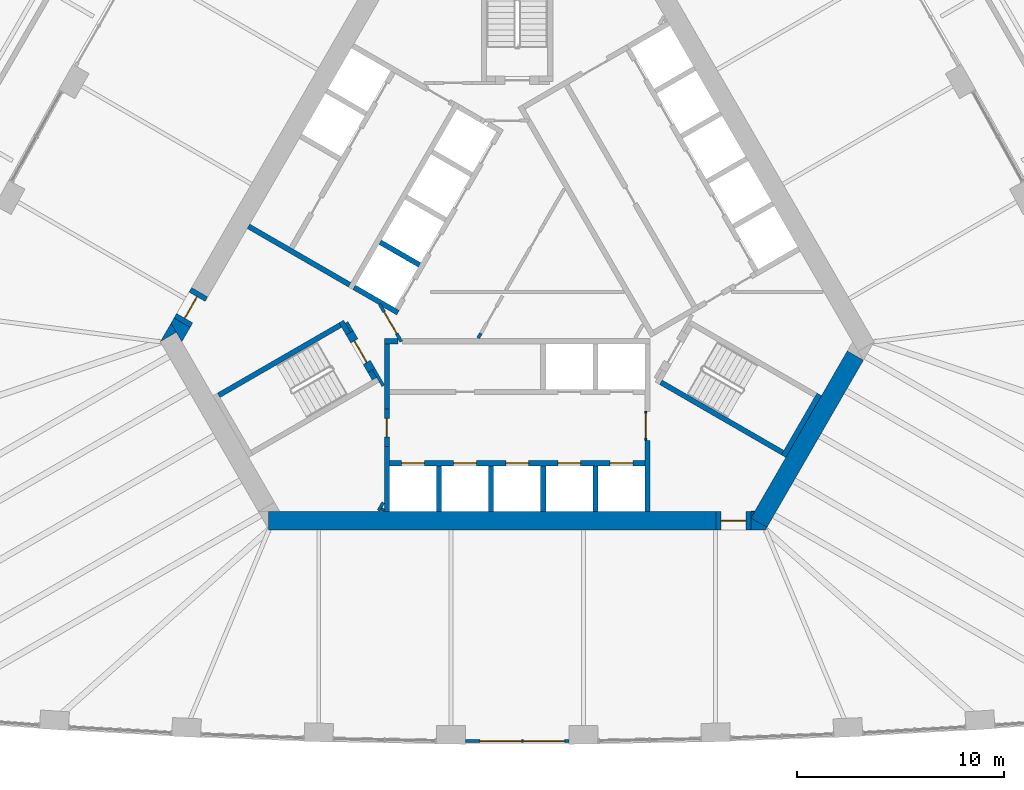
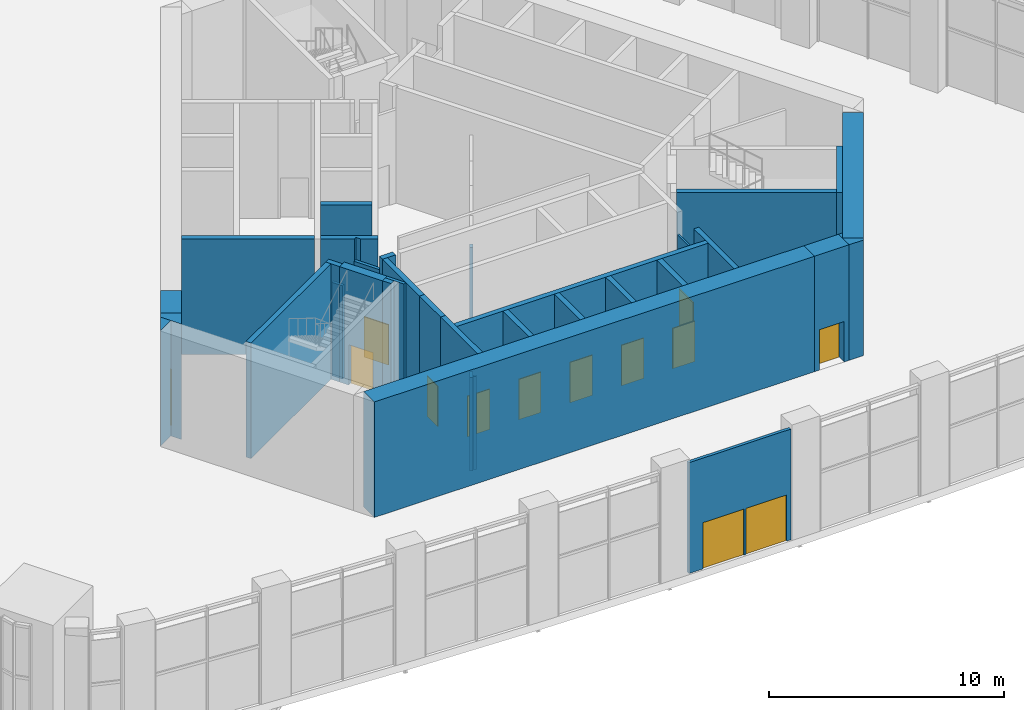
# One storey, part 25 of 41: 35 walls, 13 doors, 13 openings.
"""IFC4 building model written with IfcOpenShell, lengths in metres."""

from ifc_helpers import new_model, si_unit, direction, frame, frame_2d, origin, place, context, subcontext, project, spatial, polyline, rectangle, outline, extrude, material, layer, layer_set, type_object, element, fill, save


model = new_model("IFC4")

# Units and contexts
model_context = context("Model", 3, precision=1e-05, world=origin(), true_north=direction((0.0, 1.0)))
body_context = subcontext(model_context, "Body", "Model", "MODEL_VIEW")
ifc_project = project(units=[si_unit("LENGTHUNIT", "METRE"), si_unit("AREAUNIT", "SQUARE_METRE"), si_unit("VOLUMEUNIT", "CUBIC_METRE"), si_unit("PLANEANGLEUNIT", "RADIAN"), si_unit("MASSUNIT", "GRAM", prefix="KILO")], contexts=[model_context])

# Site, building, storey
site_placement = place(None, origin())
site = spatial("IfcSite", under=ifc_project, at=site_placement, CompositionType="ELEMENT")
building_placement = place(site_placement, origin())
building = spatial("IfcBuilding", under=site, at=building_placement, Name="Mestral Congress Tower", CompositionType="ELEMENT")
storey_placement = place(building_placement, frame((0.0, 0.0, 21.60009765625)))
storey = spatial("IfcBuildingStorey", under=building, at=storey_placement, Name="L04", CompositionType="ELEMENT", Elevation=21.60009765625)

# Walls
ifc_material_1 = material(Name="Fire-rated board partition")
ifc_layer_1 = layer(ifc_material_1, 0.14990234375)
ifc_layer_set_1 = layer_set([ifc_layer_1], Name="Fire-rated board partition")
wall_type_1 = type_object("IfcWallType", Name="Core partition 150", PredefinedType="PARTITIONING", material=ifc_layer_set_1)
wall_1_placement = place(storey_placement, frame((-6.707763671875, -12.068115234375, 0.0), z_axis=(0.0, 0.0, 1.0), x_axis=(0.500000789788, 0.8660249478, 0.0)))
element("IfcWall", 1, at=wall_1_placement, inside=storey, type_object=wall_type_1, Name="L04 core wall", PredefinedType="PARTITIONING", context=body_context, shape_type="SweptSolid", body=[
    extrude(rectangle(XDim=0.45556640625, YDim=0.14990234375, at=frame_2d((0.227783203125, 0.0))), origin(), (0.0, 0.0, 1.0), 4.849853515625),
])
wall_2_placement = place(storey_placement, frame((-6.534423828125, -12.068115234375, 0.0), z_axis=(0.0, 0.0, 1.0), x_axis=(0.500240224089, 0.865886665912, 0.0)))
element("IfcWall", 2, at=wall_2_placement, inside=storey, type_object=wall_type_1, Name="L04 core wall", PredefinedType="PARTITIONING", context=body_context, shape_type="SweptSolid", body=[
    extrude(rectangle(XDim=0.10888671875, YDim=0.14990234375, at=frame_2d((0.054443359375, 0.0))), origin(), (0.0, 0.0, 1.0), 4.849853515625),
])
wall_3_placement = place(storey_placement, frame((-1.886962890625, -3.71826171875, 0.0), z_axis=(0.0, 0.0, 1.0), x_axis=(0.500165633897, 0.865929753888, 0.0)))
element("IfcWall", 3, at=wall_3_placement, inside=storey, type_object=wall_type_1, Name="L04 core wall", PredefinedType="PARTITIONING", context=body_context, shape_type="SweptSolid", body=[
    extrude(rectangle(XDim=0.25439453125, YDim=0.14990234375, at=frame_2d((0.127197265625, 0.0))), origin(), (0.0, 0.0, 1.0), 4.849853515625),
])
wall_4_placement = place(storey_placement, frame((-8.251953125, -2.958251953125, 0.0), z_axis=(0.0, 0.0, 1.0), x_axis=(0.500174715838, -0.865924508047, 0.0)))
element("IfcWall", 4, at=wall_4_placement, inside=storey, type_object=wall_type_1, Name="L04 core wall", PredefinedType="PARTITIONING", context=body_context, shape_type="SweptSolid", body=[
    extrude(rectangle(XDim=0.513916015625, YDim=0.14990234375, at=frame_2d((0.2568359375, 0.0))), origin(), (0.0, 0.0, 1.0), 4.849853515625),
])

# Wall, opening, door
wall_5_placement = place(storey_placement, frame((-5.606201171875, -3.8896484375, 0.0), z_axis=(0.0, 0.0, 1.0), x_axis=(-0.500027713859, 0.866009402589, 0.0)))
wall_5 = element("IfcWall", 5, at=wall_5_placement, inside=storey, type_object=wall_type_1, Name="L04 door wall", PredefinedType="PARTITIONING", context=body_context, shape_type="SweptSolid", body=[
    extrude(rectangle(XDim=2.10009765625, YDim=0.14990234375, at=frame_2d((1.050048828125, 0.0))), origin(), (0.0, 0.0, 1.0), 4.849853515625),
])
opening_1_placement = place(wall_5_placement, frame((0.449951171875, 0.0, 0.0)))
opening_1 = element("IfcOpeningElement", 6, at=opening_1_placement, cuts=wall_5, Name="Opening CD3-FF", PredefinedType="OPENING", context=body_context, shape_type="SweptSolid", body=[
    extrude(rectangle(XDim=1.199951171875, YDim=2.10009765625, at=frame_2d((0.60009765625, 1.050048828125))), frame((0.0, 0.0849609375, 0.0), z_axis=(0.0, -1.0, 0.0), x_axis=(1.0, 0.0, 0.0)), (0.0, 0.0, 1.0), 0.169921875),
])
ifc_material_2 = material(Name="Fire-rated steel door set", Category="steel")
door_type_1 = type_object("IfcDoorType", Name="Core door CD 1200x2100", OperationType="SINGLE_SWING_LEFT", PredefinedType="DOOR", material=ifc_material_2)
door_1_placement = place(opening_1_placement, origin())
door_1 = element("IfcDoor", 7, at=door_1_placement, inside=storey, type_object=door_type_1, Name="Door CD3-FF", OperationType="SINGLE_SWING_LEFT", OverallHeight=2.10009765625, OverallWidth=1.199951171875, PredefinedType="DOOR", context=body_context, shape_type="SweptSolid", body=[
    extrude(rectangle(XDim=1.199951171875, YDim=2.10009765625, at=frame_2d((0.60009765625, 1.050048828125))), frame((0.0, 0.02490234375, 0.0), z_axis=(0.0, -1.0, 0.0), x_axis=(1.0, 0.0, 0.0)), (0.0, 0.0, 1.0), 0.050048828125),
])
fill(opening_1, door_1)

ifc_layer_2 = layer(ifc_material_1, 0.090087890625)
ifc_layer_set_2 = layer_set([ifc_layer_2], Name="Fire-rated board partition")
wall_type_2 = type_object("IfcWallType", Name="Core partition 150 door-wall 90", PredefinedType="PARTITIONING", material=ifc_layer_set_2)
wall_6_placement = place(storey_placement, frame((6.219970703125, -7.266357421875, 0.0), z_axis=(0.0, 0.0, 1.0), x_axis=(0.0, -1.0, 0.0)))
wall_6 = element("IfcWall", 8, at=wall_6_placement, inside=storey, type_object=wall_type_2, Name="L04 door wall", PredefinedType="PARTITIONING", context=body_context, shape_type="SweptSolid", body=[
    extrude(rectangle(XDim=1.400146484375, YDim=0.090087890625, at=frame_2d((0.7001953125, 0.0))), origin(), (0.0, 0.0, 1.0), 4.849853515625),
])
opening_2_placement = place(wall_6_placement, frame((0.10009765625, 0.0, 0.0)))
opening_2 = element("IfcOpeningElement", 9, at=opening_2_placement, cuts=wall_6, Name="Opening LB0-WL1", PredefinedType="OPENING", context=body_context, shape_type="SweptSolid", body=[
    extrude(rectangle(XDim=1.199951171875, YDim=2.10009765625, at=frame_2d((0.60009765625, 1.050048828125))), frame((0.0, 0.054931640625, 0.0), z_axis=(0.0, -1.0, 0.0), x_axis=(1.0, 0.0, 0.0)), (0.0, 0.0, 1.0), 0.110107421875),
])
door_type_2 = type_object("IfcDoorType", Name="Core door LB 1200x2100", OperationType="SINGLE_SWING_LEFT", PredefinedType="DOOR", material=ifc_material_2)
door_2_placement = place(opening_2_placement, origin())
door_2 = element("IfcDoor", 10, at=door_2_placement, inside=storey, type_object=door_type_2, Name="Door LB0-WL1", OperationType="SINGLE_SWING_LEFT", OverallHeight=2.10009765625, OverallWidth=1.199951171875, PredefinedType="DOOR", context=body_context, shape_type="SweptSolid", body=[
    extrude(rectangle(XDim=1.199951171875, YDim=2.10009765625, at=frame_2d((0.60009765625, 1.050048828125))), frame((0.0, 0.02490234375, 0.0), z_axis=(0.0, -1.0, 0.0), x_axis=(1.0, 0.0, 0.0)), (0.0, 0.0, 1.0), 0.050048828125),
])
fill(opening_2, door_2)

# Walls
ifc_material_3 = material(Name="Concrete C60/75", Category="concrete")
ifc_layer_3 = layer(ifc_material_3, 0.89990234375)
ifc_layer_set_3 = layer_set([ifc_layer_3], Name="Concrete C60/75")
wall_type_3 = type_object("IfcWallType", Name="Core wall RC 900", PredefinedType="SOLIDWALL", material=ifc_layer_set_3)
wall_7_placement = place(storey_placement, frame((11.69482421875, -12.643798828125, 0.0), z_axis=(0.0, 0.0, 1.0), x_axis=(0.500010229568, 0.86601949766, 0.0)))
element("IfcWall", 11, at=wall_7_placement, inside=storey, type_object=wall_type_3, Name="L04 core wall", PredefinedType="SOLIDWALL", context=body_context, shape_type="SweptSolid", body=[
    extrude(rectangle(XDim=9.326416015625, YDim=0.89990234375, at=frame_2d((4.6630859375, 0.0))), origin(), (0.0, 0.0, 1.0), 6.0),
])
placement = place(storey_placement, origin())
element("IfcWall", 12, at=placement, inside=storey, type_object=wall_type_3, Name="L04 core wall", PredefinedType="SOLIDWALL", context=body_context, shape_type="SweptSolid", body=[
    extrude(outline(polyline([(12.0087890625, -13.0), (11.31201171875, -13.0), (11.31201171875, -12.425048828125), (12.08349609375, -12.87060546875), (12.0087890625, -13.0)])), origin(), (0.0, 0.0, 1.0), 6.0),
])
element("IfcWall", 13, at=placement, inside=storey, type_object=wall_type_3, Name="L04 core wall", PredefinedType="SOLIDWALL", context=body_context, shape_type="SweptSolid", body=[
    extrude(outline(polyline([(11.4892578125, -12.10009765625), (11.31201171875, -12.4072265625), (11.31201171875, -12.10009765625), (11.4892578125, -12.10009765625)])), origin(), (0.0, 0.0, 1.0), 6.0),
])
wall_10_placement = place(storey_placement, frame((-12.0185546875, -12.550048828125, 0.0), z_axis=(0.0, 0.0, 1.0), x_axis=(1.0, 0.0, 0.0)))
element("IfcWall", 14, at=wall_10_placement, inside=storey, type_object=wall_type_3, Name="L04 core wall", PredefinedType="SOLIDWALL", context=body_context, shape_type="SweptSolid", body=[
    extrude(rectangle(XDim=21.63037109375, YDim=0.89990234375, at=frame_2d((10.815185546875, 0.0))), origin(), (0.0, 0.0, 1.0), 6.0),
])
element("IfcWall", 15, at=placement, inside=storey, type_object=wall_type_3, Name="L04 core wall", PredefinedType="SOLIDWALL", context=body_context, shape_type="SweptSolid", body=[
    extrude(outline(polyline([(-16.4892578125, -3.43994140625), (-17.251220703125, -3.8798828125), (-16.7431640625, -3.0), (-16.4892578125, -3.43994140625)])), origin(), (0.0, 0.0, 1.0), 6.0),
])
element("IfcWall", 16, at=placement, inside=storey, type_object=wall_type_3, Name="L04 core wall", PredefinedType="SOLIDWALL", context=body_context, shape_type="SweptSolid", body=[
    extrude(outline(polyline([(-15.81982421875, -3.20068359375), (-16.223388671875, -3.89990234375), (-16.7431640625, -3.0), (-16.599365234375, -2.750732421875), (-15.81982421875, -3.20068359375)])), origin(), (0.0, 0.0, 1.0), 6.0),
])

# Wall, opening, door
wall_13_placement = place(storey_placement, frame((11.311767578125, -12.550048828125, 0.0), z_axis=(0.0, 0.0, 1.0), x_axis=(-1.0, 0.0, 0.0)))
wall_13 = element("IfcWall", 17, at=wall_13_placement, inside=storey, type_object=wall_type_3, Name="L04 door wall", PredefinedType="SOLIDWALL", context=body_context, shape_type="SweptSolid", body=[
    extrude(rectangle(XDim=1.699951171875, YDim=0.89990234375, at=frame_2d((0.85009765625, 0.0))), origin(), (0.0, 0.0, 1.0), 6.0),
])
opening_3_placement = place(wall_13_placement, frame((0.25, 0.0, 0.0)))
opening_3 = element("IfcOpeningElement", 18, at=opening_3_placement, cuts=wall_13, Name="Opening XD1", PredefinedType="OPENING", context=body_context, shape_type="SweptSolid", body=[
    extrude(rectangle(XDim=1.199951171875, YDim=2.10009765625, at=frame_2d((0.60009765625, 1.050048828125))), frame((0.0, 0.4599609375, 0.0), z_axis=(0.0, -1.0, 0.0), x_axis=(1.0, 0.0, 0.0)), (0.0, 0.0, 1.0), 0.919921875),
])
door_type_3 = type_object("IfcDoorType", Name="Core door XD 1200x2100", OperationType="SINGLE_SWING_LEFT", PredefinedType="DOOR", material=ifc_material_2)
door_3_placement = place(opening_3_placement, origin())
door_3 = element("IfcDoor", 19, at=door_3_placement, inside=storey, type_object=door_type_3, Name="Door XD1", OperationType="SINGLE_SWING_LEFT", OverallHeight=2.10009765625, OverallWidth=1.199951171875, PredefinedType="DOOR", context=body_context, shape_type="SweptSolid", body=[
    extrude(rectangle(XDim=1.199951171875, YDim=2.10009765625, at=frame_2d((0.60009765625, 1.050048828125))), frame((0.0, 0.02490234375, 0.0), z_axis=(0.0, -1.0, 0.0), x_axis=(1.0, 0.0, 0.0)), (0.0, 0.0, 1.0), 0.050048828125),
])
fill(opening_3, door_3)

wall_14_placement = place(storey_placement, frame((-16.20947265625, -2.9755859375, 0.0), z_axis=(0.0, 0.0, 1.0), x_axis=(0.499954529098, 0.86605165483, 0.0)))
wall_14 = element("IfcWall", 20, at=wall_14_placement, inside=storey, type_object=wall_type_3, Name="L04 door wall", PredefinedType="SOLIDWALL", context=body_context, shape_type="SweptSolid", body=[
    extrude(rectangle(XDim=1.699951171875, YDim=0.89990234375, at=frame_2d((0.85009765625, 0.0))), origin(), (0.0, 0.0, 1.0), 6.0),
])
opening_4_placement = place(wall_14_placement, frame((0.25, 0.0, 0.0)))
opening_4 = element("IfcOpeningElement", 21, at=opening_4_placement, cuts=wall_14, Name="Opening XD3", PredefinedType="OPENING", context=body_context, shape_type="SweptSolid", body=[
    extrude(rectangle(XDim=1.199951171875, YDim=2.10009765625, at=frame_2d((0.60009765625, 1.050048828125))), frame((0.0, 0.4599609375, 0.0), z_axis=(0.0, -1.0, 0.0), x_axis=(1.0, 0.0, 0.0)), (0.0, 0.0, 1.0), 0.919921875),
])
door_4_placement = place(opening_4_placement, origin())
door_4 = element("IfcDoor", 22, at=door_4_placement, inside=storey, type_object=door_type_3, Name="Door XD3", OperationType="SINGLE_SWING_LEFT", OverallHeight=2.10009765625, OverallWidth=1.199951171875, PredefinedType="DOOR", context=body_context, shape_type="SweptSolid", body=[
    extrude(rectangle(XDim=1.199951171875, YDim=2.10009765625, at=frame_2d((0.60009765625, 1.050048828125))), frame((0.0, 0.02490234375, 0.0), z_axis=(0.0, -1.0, 0.0), x_axis=(1.0, 0.0, 0.0)), (0.0, 0.0, 1.0), 0.050048828125),
])
fill(opening_4, door_4)

# Wall, openings, doors
ifc_material_4 = material(Name="Aluminium-framed glazed screen", Category="aluminium")
ifc_layer_4 = layer(ifc_material_4, 0.14990234375)
ifc_layer_set_4 = layer_set([ifc_layer_4], Name="Aluminium-framed glazed screen")
wall_type_4 = type_object("IfcWallType", Name="Facade entrance screen 150", PredefinedType="SOLIDWALL", material=ifc_layer_set_4)
wall_15_placement = place(storey_placement, frame((2.4990234375, -23.213134765625, 0.0), z_axis=(0.0, 0.0, 1.0), x_axis=(-1.0, 0.0, 0.0)))
wall_15 = element("IfcWall", 23, at=wall_15_placement, inside=storey, type_object=wall_type_4, Name="Entrance screen face 1", PredefinedType="SOLIDWALL", context=body_context, shape_type="SweptSolid", body=[
    extrude(rectangle(XDim=4.998046875, YDim=0.14990234375, at=frame_2d((2.4990234375, 0.0))), origin(), (0.0, 0.0, 1.0), 5.75),
])
opening_5_placement = place(wall_15_placement, frame((0.199951171875, 0.0, 0.0)))
opening_5 = element("IfcOpeningElement", 24, at=opening_5_placement, cuts=wall_15, Name="Opening P04-501", PredefinedType="OPENING", context=body_context, shape_type="SweptSolid", body=[
    extrude(rectangle(XDim=2.0, YDim=2.39990234375, at=frame_2d((1.0, 1.199951171875))), frame((0.0, 0.0849609375, 0.0), z_axis=(0.0, -1.0, 0.0), x_axis=(1.0, 0.0, 0.0)), (0.0, 0.0, 1.0), 0.169921875),
])
opening_6_placement = place(wall_15_placement, frame((2.300048828125, 0.0, 0.0)))
opening_6 = element("IfcOpeningElement", 25, at=opening_6_placement, cuts=wall_15, Name="Opening P04-502", PredefinedType="OPENING", context=body_context, shape_type="SweptSolid", body=[
    extrude(rectangle(XDim=2.0, YDim=2.39990234375, at=frame_2d((1.0, 1.199951171875))), frame((0.0, 0.0849609375, 0.0), z_axis=(0.0, -1.0, 0.0), x_axis=(1.0, 0.0, 0.0)), (0.0, 0.0, 1.0), 0.169921875),
])
ifc_material_5 = material(Name="Steel and glass door set", Category="steel")
door_type_4 = type_object("IfcDoorType", Name="Podium entrance door 2000x2400", OperationType="DOUBLE_DOOR_SINGLE_SWING", PredefinedType="DOOR", material=ifc_material_5)
door_5_placement = place(opening_5_placement, origin())
door_5 = element("IfcDoor", 26, at=door_5_placement, inside=storey, type_object=door_type_4, Name="Door P04-501", OperationType="DOUBLE_DOOR_SINGLE_SWING", OverallHeight=2.39990234375, OverallWidth=2.0, PredefinedType="DOOR", context=body_context, shape_type="SweptSolid", body=[
    extrude(rectangle(XDim=2.0, YDim=2.39990234375, at=frame_2d((1.0, 1.199951171875))), frame((0.0, 0.02490234375, 0.0), z_axis=(0.0, -1.0, 0.0), x_axis=(1.0, 0.0, 0.0)), (0.0, 0.0, 1.0), 0.050048828125),
])
fill(opening_5, door_5)
door_6_placement = place(opening_6_placement, origin())
door_6 = element("IfcDoor", 27, at=door_6_placement, inside=storey, type_object=door_type_4, Name="Door P04-502", OperationType="DOUBLE_DOOR_SINGLE_SWING", OverallHeight=2.39990234375, OverallWidth=2.0, PredefinedType="DOOR", context=body_context, shape_type="SweptSolid", body=[
    extrude(rectangle(XDim=2.0, YDim=2.39990234375, at=frame_2d((1.0, 1.199951171875))), frame((0.0, 0.02490234375, 0.0), z_axis=(0.0, -1.0, 0.0), x_axis=(1.0, 0.0, 0.0)), (0.0, 0.0, 1.0), 0.050048828125),
])
fill(opening_6, door_6)

# Walls
ifc_layer_5 = layer(ifc_material_3, 0.25)
ifc_layer_set_5 = layer_set([ifc_layer_5], Name="Concrete C60/75")
wall_type_5 = type_object("IfcWallType", Name="Shaft wall RC 250", PredefinedType="SOLIDWALL", material=ifc_layer_set_5)
wall_16_placement = place(storey_placement, frame((-3.780029296875, -12.10009765625, 0.0), z_axis=(0.0, 0.0, 1.0), x_axis=(0.0, 1.0, 0.0)))
element("IfcWall", 28, at=wall_16_placement, inside=storey, type_object=wall_type_5, Name="L04 core wall", PredefinedType="SOLIDWALL", context=body_context, shape_type="SweptSolid", body=[
    extrude(rectangle(XDim=2.199951171875, YDim=0.25, at=frame_2d((1.10009765625, 0.0))), origin(), (0.0, 0.0, 1.0), 6.0),
])
wall_17_placement = place(storey_placement, frame((-6.300048828125, -12.10009765625, 0.0), z_axis=(0.0, 0.0, 1.0), x_axis=(0.0, 1.0, 0.0)))
element("IfcWall", 29, at=wall_17_placement, inside=storey, type_object=wall_type_5, Name="L04 core wall", PredefinedType="SOLIDWALL", context=body_context, shape_type="SweptSolid", body=[
    extrude(rectangle(XDim=3.1455078125, YDim=0.25, at=frame_2d((1.57275390625, 0.0))), origin(), (0.0, 0.0, 1.0), 6.0),
])
wall_18_placement = place(storey_placement, frame((-6.425048828125, -3.875, 0.0), z_axis=(0.0, 0.0, 1.0), x_axis=(1.0, 0.0, 0.0)))
element("IfcWall", 30, at=wall_18_placement, inside=storey, type_object=wall_type_5, Name="L04 core wall", PredefinedType="SOLIDWALL", context=body_context, shape_type="SweptSolid", body=[
    extrude(rectangle(XDim=0.657958984375, YDim=0.25, at=frame_2d((0.3291015625, 0.0))), origin(), (0.0, 0.0, 1.0), 6.0),
])
wall_19_placement = place(storey_placement, frame((6.300048828125, -8.669921875, 0.0), z_axis=(0.0, 0.0, 1.0), x_axis=(0.0, -1.0, 0.0)))
element("IfcWall", 31, at=wall_19_placement, inside=storey, type_object=wall_type_5, Name="L04 core wall", PredefinedType="SOLIDWALL", context=body_context, shape_type="SweptSolid", body=[
    extrude(rectangle(XDim=3.43017578125, YDim=0.25, at=frame_2d((1.715087890625, 0.0))), origin(), (0.0, 0.0, 1.0), 6.0),
])
wall_20_placement = place(storey_placement, frame((-6.300048828125, -4.0, 0.0), z_axis=(0.0, 0.0, 1.0), x_axis=(0.0, -1.0, 0.0)))
element("IfcWall", 32, at=wall_20_placement, inside=storey, type_object=wall_type_5, Name="L04 core wall", PredefinedType="SOLIDWALL", context=body_context, shape_type="SweptSolid", body=[
    extrude(rectangle(XDim=3.154296875, YDim=0.25, at=frame_2d((1.5771484375, 0.0))), origin(), (0.0, 0.0, 1.0), 6.0),
])
for number, where, z_axis, x_axis, name in (
    (33, (3.780029296875, -12.10009765625, 0.0), (0.0, 0.0, 1.0), (0.0, 1.0, 0.0), "L04 core wall"),
    (34, (1.260009765625, -12.10009765625, 0.0), (0.0, 0.0, 1.0), (0.0, 1.0, 0.0), "L04 core wall"),
    (35, (-1.260009765625, -12.10009765625, 0.0), (0.0, 0.0, 1.0), (0.0, 1.0, 0.0), "L04 core wall"),
    (36, (-4.72412109375, -0.182373046875, 0.0), (0.0, 0.0, 1.0), (-0.866008176907, 0.50002983664, 0.0), "L04 core wall"),
):
    element("IfcWall", number, at=place(storey_placement, frame(where, z_axis=z_axis, x_axis=x_axis)), inside=storey, type_object=wall_type_5, Name=name, PredefinedType="SOLIDWALL", context=body_context, shape_type="SweptSolid", body=[
        extrude(rectangle(XDim=2.199951171875, YDim=0.25, at=frame_2d((1.10009765625, 0.0))), origin(), (0.0, 0.0, 1.0), 6.0),
    ])
element("IfcWall", 37, at=placement, inside=storey, type_object=wall_type_5, Name="L04 core wall", PredefinedType="SOLIDWALL", context=body_context, shape_type="SweptSolid", body=[
    extrude(outline(polyline([(-5.921630859375, -2.256591796875), (-5.921630859375, -2.256591796875), (-5.705078125, -2.381591796875), (-5.830078125, -2.597900390625), (-6.48291015625, -2.22119140625), (-6.59130859375, -2.033447265625), (-6.59130859375, -2.033447265625), (-6.69970703125, -2.095947265625), (-7.951904296875, -1.373046875), (-7.826904296875, -1.156494140625), (-5.921630859375, -2.256591796875)])), origin(), (0.0, 0.0, 1.0), 6.0),
])
wall_22_placement = place(storey_placement, frame((-8.10595703125, -1.139892578125, 0.0), z_axis=(0.0, 0.0, 1.0), x_axis=(-0.866000643155, 0.500042884217, 0.0)))
element("IfcWall", 38, at=wall_22_placement, inside=storey, type_object=wall_type_5, Name="L04 core wall", PredefinedType="SOLIDWALL", context=body_context, shape_type="SweptSolid", body=[
    extrude(rectangle(XDim=5.64990234375, YDim=0.25, at=frame_2d((2.824951171875, 0.0))), origin(), (0.0, 0.0, 1.0), 6.0),
])

# Wall, openings, doors
wall_23_placement = place(storey_placement, frame((-6.175048828125, -9.77490234375, 0.0), z_axis=(0.0, 0.0, 1.0), x_axis=(1.0, 0.0, 0.0)))
wall_23 = element("IfcWall", 39, at=wall_23_placement, inside=storey, type_object=wall_type_5, Name="L04 door wall", PredefinedType="SOLIDWALL", context=body_context, shape_type="SweptSolid", body=[
    extrude(rectangle(XDim=12.35009765625, YDim=0.25, at=frame_2d((6.175048828125, 0.0))), origin(), (0.0, 0.0, 1.0), 6.0),
])
opening_7_placement = place(wall_23_placement, frame((0.5849609375, 0.0, 0.0)))
opening_7 = element("IfcOpeningElement", 40, at=opening_7_placement, cuts=wall_23, Name="Opening LD-SOA1", PredefinedType="OPENING", context=body_context, shape_type="SweptSolid", body=[
    extrude(rectangle(XDim=1.10009765625, YDim=2.10009765625, at=frame_2d((0.550048828125, 1.050048828125))), frame((0.0, 0.135009765625, 0.0), z_axis=(0.0, -1.0, 0.0), x_axis=(1.0, 0.0, 0.0)), (0.0, 0.0, 1.0), 0.27001953125),
])
opening_8_placement = place(wall_23_placement, frame((3.10498046875, 0.0, 0.0)))
opening_8 = element("IfcOpeningElement", 41, at=opening_8_placement, cuts=wall_23, Name="Opening LD-SOA2", PredefinedType="OPENING", context=body_context, shape_type="SweptSolid", body=[
    extrude(rectangle(XDim=1.10009765625, YDim=2.10009765625, at=frame_2d((0.550048828125, 1.050048828125))), frame((0.0, 0.135009765625, 0.0), z_axis=(0.0, -1.0, 0.0), x_axis=(1.0, 0.0, 0.0)), (0.0, 0.0, 1.0), 0.27001953125),
])
opening_9_placement = place(wall_23_placement, frame((5.625, 0.0, 0.0)))
opening_9 = element("IfcOpeningElement", 42, at=opening_9_placement, cuts=wall_23, Name="Opening LD-SOA3", PredefinedType="OPENING", context=body_context, shape_type="SweptSolid", body=[
    extrude(rectangle(XDim=1.10009765625, YDim=2.10009765625, at=frame_2d((0.550048828125, 1.050048828125))), frame((0.0, 0.135009765625, 0.0), z_axis=(0.0, -1.0, 0.0), x_axis=(1.0, 0.0, 0.0)), (0.0, 0.0, 1.0), 0.27001953125),
])
opening_10_placement = place(wall_23_placement, frame((8.14501953125, 0.0, 0.0)))
opening_10 = element("IfcOpeningElement", 43, at=opening_10_placement, cuts=wall_23, Name="Opening LD-SOA4", PredefinedType="OPENING", context=body_context, shape_type="SweptSolid", body=[
    extrude(rectangle(XDim=1.10009765625, YDim=2.10009765625, at=frame_2d((0.550048828125, 1.050048828125))), frame((0.0, 0.135009765625, 0.0), z_axis=(0.0, -1.0, 0.0), x_axis=(1.0, 0.0, 0.0)), (0.0, 0.0, 1.0), 0.27001953125),
])
opening_11_placement = place(wall_23_placement, frame((10.6650390625, 0.0, 0.0)))
opening_11 = element("IfcOpeningElement", 44, at=opening_11_placement, cuts=wall_23, Name="Opening LD-SOA5", PredefinedType="OPENING", context=body_context, shape_type="SweptSolid", body=[
    extrude(rectangle(XDim=1.10009765625, YDim=2.10009765625, at=frame_2d((0.550048828125, 1.050048828125))), frame((0.0, 0.135009765625, 0.0), z_axis=(0.0, -1.0, 0.0), x_axis=(1.0, 0.0, 0.0)), (0.0, 0.0, 1.0), 0.27001953125),
])
door_type_5 = type_object("IfcDoorType", Name="Core door LD 1100x2100", OperationType="DOUBLE_DOOR_SLIDING", PredefinedType="DOOR", material=ifc_material_2)
door_7_placement = place(opening_7_placement, origin())
door_7 = element("IfcDoor", 45, at=door_7_placement, inside=storey, type_object=door_type_5, Name="Door LD-SOA1", OperationType="DOUBLE_DOOR_SLIDING", OverallHeight=2.10009765625, OverallWidth=1.10009765625, PredefinedType="DOOR", context=body_context, shape_type="SweptSolid", body=[
    extrude(rectangle(XDim=1.10009765625, YDim=2.10009765625, at=frame_2d((0.550048828125, 1.050048828125))), frame((0.0, 0.02490234375, 0.0), z_axis=(0.0, -1.0, 0.0), x_axis=(1.0, 0.0, 0.0)), (0.0, 0.0, 1.0), 0.050048828125),
])
fill(opening_7, door_7)
door_8_placement = place(opening_8_placement, origin())
door_8 = element("IfcDoor", 46, at=door_8_placement, inside=storey, type_object=door_type_5, Name="Door LD-SOA2", OperationType="DOUBLE_DOOR_SLIDING", OverallHeight=2.10009765625, OverallWidth=1.10009765625, PredefinedType="DOOR", context=body_context, shape_type="SweptSolid", body=[
    extrude(rectangle(XDim=1.10009765625, YDim=2.10009765625, at=frame_2d((0.550048828125, 1.050048828125))), frame((0.0, 0.02490234375, 0.0), z_axis=(0.0, -1.0, 0.0), x_axis=(1.0, 0.0, 0.0)), (0.0, 0.0, 1.0), 0.050048828125),
])
fill(opening_8, door_8)
door_9_placement = place(opening_9_placement, origin())
door_9 = element("IfcDoor", 47, at=door_9_placement, inside=storey, type_object=door_type_5, Name="Door LD-SOA3", OperationType="DOUBLE_DOOR_SLIDING", OverallHeight=2.10009765625, OverallWidth=1.10009765625, PredefinedType="DOOR", context=body_context, shape_type="SweptSolid", body=[
    extrude(rectangle(XDim=1.10009765625, YDim=2.10009765625, at=frame_2d((0.550048828125, 1.050048828125))), frame((0.0, 0.02490234375, 0.0), z_axis=(0.0, -1.0, 0.0), x_axis=(1.0, 0.0, 0.0)), (0.0, 0.0, 1.0), 0.050048828125),
])
fill(opening_9, door_9)
door_10_placement = place(opening_10_placement, origin())
door_10 = element("IfcDoor", 48, at=door_10_placement, inside=storey, type_object=door_type_5, Name="Door LD-SOA4", OperationType="DOUBLE_DOOR_SLIDING", OverallHeight=2.10009765625, OverallWidth=1.10009765625, PredefinedType="DOOR", context=body_context, shape_type="SweptSolid", body=[
    extrude(rectangle(XDim=1.10009765625, YDim=2.10009765625, at=frame_2d((0.550048828125, 1.050048828125))), frame((0.0, 0.02490234375, 0.0), z_axis=(0.0, -1.0, 0.0), x_axis=(1.0, 0.0, 0.0)), (0.0, 0.0, 1.0), 0.050048828125),
])
fill(opening_10, door_10)
door_11_placement = place(opening_11_placement, origin())
door_11 = element("IfcDoor", 49, at=door_11_placement, inside=storey, type_object=door_type_5, Name="Door LD-SOA5", OperationType="DOUBLE_DOOR_SLIDING", OverallHeight=2.10009765625, OverallWidth=1.10009765625, PredefinedType="DOOR", context=body_context, shape_type="SweptSolid", body=[
    extrude(rectangle(XDim=1.10009765625, YDim=2.10009765625, at=frame_2d((0.550048828125, 1.050048828125))), frame((0.0, 0.02490234375, 0.0), z_axis=(0.0, -1.0, 0.0), x_axis=(1.0, 0.0, 0.0)), (0.0, 0.0, 1.0), 0.050048828125),
])
fill(opening_11, door_11)

# Wall, opening, door
wall_24_placement = place(storey_placement, frame((-6.300048828125, -7.154296875, 0.0), z_axis=(0.0, 0.0, 1.0), x_axis=(0.0, -1.0, 0.0)))
wall_24 = element("IfcWall", 50, at=wall_24_placement, inside=storey, type_object=wall_type_5, Name="L04 door wall", PredefinedType="SOLIDWALL", context=body_context, shape_type="SweptSolid", body=[
    extrude(rectangle(XDim=1.800048828125, YDim=0.25, at=frame_2d((0.89990234375, 0.0))), origin(), (0.0, 0.0, 1.0), 6.0),
])
opening_12_placement = place(wall_24_placement, frame((0.449951171875, 0.0, 0.0)))
opening_12 = element("IfcOpeningElement", 51, at=opening_12_placement, cuts=wall_24, Name="Opening TD3", PredefinedType="OPENING", context=body_context, shape_type="SweptSolid", body=[
    extrude(rectangle(XDim=0.89990234375, YDim=2.10009765625, at=frame_2d((0.449951171875, 1.050048828125))), frame((0.0, 0.135009765625, 0.0), z_axis=(0.0, -1.0, 0.0), x_axis=(1.0, 0.0, 0.0)), (0.0, 0.0, 1.0), 0.27001953125),
])
door_type_6 = type_object("IfcDoorType", Name="Core door SR 900x2100", OperationType="SINGLE_SWING_LEFT", PredefinedType="DOOR", material=ifc_material_2)
door_12_placement = place(opening_12_placement, origin())
door_12 = element("IfcDoor", 52, at=door_12_placement, inside=storey, type_object=door_type_6, Name="Door TD3", OperationType="SINGLE_SWING_LEFT", OverallHeight=2.10009765625, OverallWidth=0.89990234375, PredefinedType="DOOR", context=body_context, shape_type="SweptSolid", body=[
    extrude(rectangle(XDim=0.89990234375, YDim=2.10009765625, at=frame_2d((0.449951171875, 1.050048828125))), frame((0.0, 0.02490234375, 0.0), z_axis=(0.0, -1.0, 0.0), x_axis=(1.0, 0.0, 0.0)), (0.0, 0.0, 1.0), 0.050048828125),
])
fill(opening_12, door_12)

# Walls
ifc_layer_6 = layer(ifc_material_3, 0.14990234375)
ifc_layer_set_6 = layer_set([ifc_layer_6], Name="Concrete C60/75")
wall_type_6 = type_object("IfcWallType", Name="Shaft wall RC 250 door-wall 150", PredefinedType="SOLIDWALL", material=ifc_layer_set_6)
wall_25_placement = place(storey_placement, frame((-6.48046875, -6.026611328125, 0.0), z_axis=(0.0, 0.0, 1.0), x_axis=(-0.499927229454, 0.866067413802, 0.0)))
element("IfcWall", 53, at=wall_25_placement, inside=storey, type_object=wall_type_6, Name="L04 core wall", PredefinedType="PARTITIONING", context=body_context, shape_type="SweptSolid", body=[
    extrude(rectangle(XDim=0.928955078125, YDim=0.14990234375, at=frame_2d((0.46435546875, 0.0))), origin(), (0.0, 0.0, 1.0), 6.0),
])
ifc_layer_7 = layer(ifc_material_3, 0.25)
ifc_layer_set_7 = layer_set([ifc_layer_7], Name="Concrete C60/75")
wall_type_7 = type_object("IfcWallType", Name="Stair wall RC 250", PredefinedType="SOLIDWALL", material=ifc_layer_set_7)
wall_26_placement = place(storey_placement, frame((12.885498046875, -9.431396484375, 0.0), z_axis=(0.0, 0.0, 1.0), x_axis=(0.500020560727, 0.866013532718, 0.0)))
element("IfcWall", 54, at=wall_26_placement, inside=storey, type_object=wall_type_7, Name="L04 core wall", PredefinedType="SOLIDWALL", context=body_context, shape_type="SweptSolid", body=[
    extrude(rectangle(XDim=3.449951171875, YDim=0.25, at=frame_2d((1.72509765625, 0.0))), origin(), (0.0, 0.0, 1.0), 6.0),
])
wall_27_placement = place(storey_placement, frame((12.83984375, -9.2607421875, 0.0), z_axis=(0.0, 0.0, 1.0), x_axis=(-0.866013990052, 0.500019768644, 0.0)))
element("IfcWall", 55, at=wall_27_placement, inside=storey, type_object=wall_type_7, Name="L04 core wall", PredefinedType="SOLIDWALL", context=body_context, shape_type="SweptSolid", body=[
    extrude(rectangle(XDim=6.800048828125, YDim=0.25, at=frame_2d((3.39990234375, 0.0))), origin(), (0.0, 0.0, 1.0), 6.0),
])
wall_28_placement = place(storey_placement, frame((-14.43994140625, -6.489501953125, 0.0), z_axis=(0.0, 0.0, 1.0), x_axis=(0.866022966069, 0.500004222222, 0.0)))
element("IfcWall", 56, at=wall_28_placement, inside=storey, type_object=wall_type_7, Name="L04 core wall", PredefinedType="SOLIDWALL", context=body_context, shape_type="SweptSolid", body=[
    extrude(rectangle(XDim=6.80029296875, YDim=0.25, at=frame_2d((3.400146484375, 0.0))), origin(), (0.0, 0.0, 1.0), 6.0),
])
wall_29_placement = place(storey_placement, frame((-8.167724609375, -3.503173828125, 0.0), z_axis=(0.0, 0.0, 1.0), x_axis=(-0.499952099219, 0.866053057547, 0.0)))
element("IfcWall", 57, at=wall_29_placement, inside=storey, type_object=wall_type_7, Name="L04 core wall", PredefinedType="SOLIDWALL", context=body_context, shape_type="SweptSolid", body=[
    extrude(rectangle(XDim=0.6748046875, YDim=0.25, at=frame_2d((0.33740234375, 0.0))), origin(), (0.0, 0.0, 1.0), 6.0),
])
wall_30_placement = place(storey_placement, frame((-6.905029296875, -5.68994140625, 0.0), z_axis=(0.0, 0.0, 1.0), x_axis=(-0.500402024738, 0.865793170242, 0.0)))
element("IfcWall", 58, at=wall_30_placement, inside=storey, type_object=wall_type_7, Name="L04 core wall", PredefinedType="SOLIDWALL", context=body_context, shape_type="SweptSolid", body=[
    extrude(rectangle(XDim=0.425048828125, YDim=0.25, at=frame_2d((0.21240234375, 0.0))), origin(), (0.0, 0.0, 1.0), 6.0),
])

# Wall, opening, door
ifc_layer_8 = layer(ifc_material_3, 0.39990234375)
ifc_layer_set_8 = layer_set([ifc_layer_8], Name="Concrete C60/75")
wall_type_8 = type_object("IfcWallType", Name="Stair wall RC 250 door-wall 400", PredefinedType="SOLIDWALL", material=ifc_layer_set_8)
wall_31_placement = place(storey_placement, frame((-8.102783203125, -3.4658203125, 0.0), z_axis=(0.0, 0.0, 1.0), x_axis=(0.500078061341, -0.865980330357, 0.0)))
wall_31 = element("IfcWall", 59, at=wall_31_placement, inside=storey, type_object=wall_type_8, Name="L04 door wall", PredefinedType="SOLIDWALL", context=body_context, shape_type="SweptSolid", body=[
    extrude(rectangle(XDim=2.099853515625, YDim=0.39990234375, at=frame_2d((1.0498046875, 0.0))), origin(), (0.0, 0.0, 1.0), 6.0),
])
opening_13_placement = place(wall_31_placement, frame((0.449951171875, 0.0, 0.0)))
opening_13 = element("IfcOpeningElement", 60, at=opening_13_placement, cuts=wall_31, Name="Opening ST-D3", PredefinedType="OPENING", context=body_context, shape_type="SweptSolid", body=[
    extrude(rectangle(XDim=1.199951171875, YDim=2.10009765625, at=frame_2d((0.60009765625, 1.050048828125))), frame((0.0, 0.2099609375, 0.0), z_axis=(0.0, -1.0, 0.0), x_axis=(1.0, 0.0, 0.0)), (0.0, 0.0, 1.0), 0.419921875),
])
door_type_7 = type_object("IfcDoorType", Name="Core door ST 1200x2100", OperationType="SINGLE_SWING_LEFT", PredefinedType="DOOR", material=ifc_material_2)
door_13_placement = place(opening_13_placement, origin())
door_13 = element("IfcDoor", 61, at=door_13_placement, inside=storey, type_object=door_type_7, Name="Door ST-D3", OperationType="SINGLE_SWING_LEFT", OverallHeight=2.10009765625, OverallWidth=1.199951171875, PredefinedType="DOOR", context=body_context, shape_type="SweptSolid", body=[
    extrude(rectangle(XDim=1.199951171875, YDim=2.10009765625, at=frame_2d((0.60009765625, 1.050048828125))), frame((0.0, 0.02490234375, 0.0), z_axis=(0.0, -1.0, 0.0), x_axis=(1.0, 0.0, 0.0)), (0.0, 0.0, 1.0), 0.050048828125),
])
fill(opening_13, door_13)

save(model, "model.ifc")
